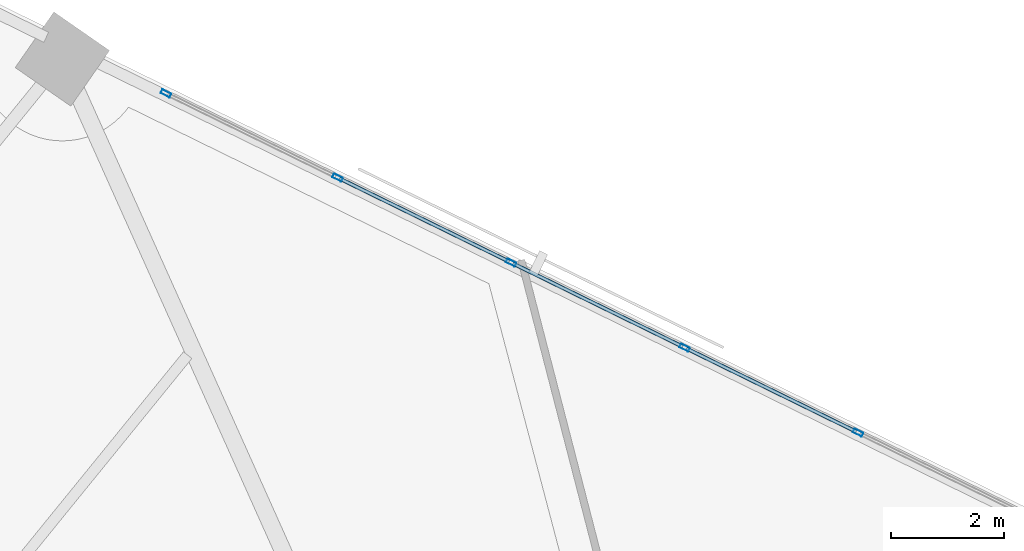
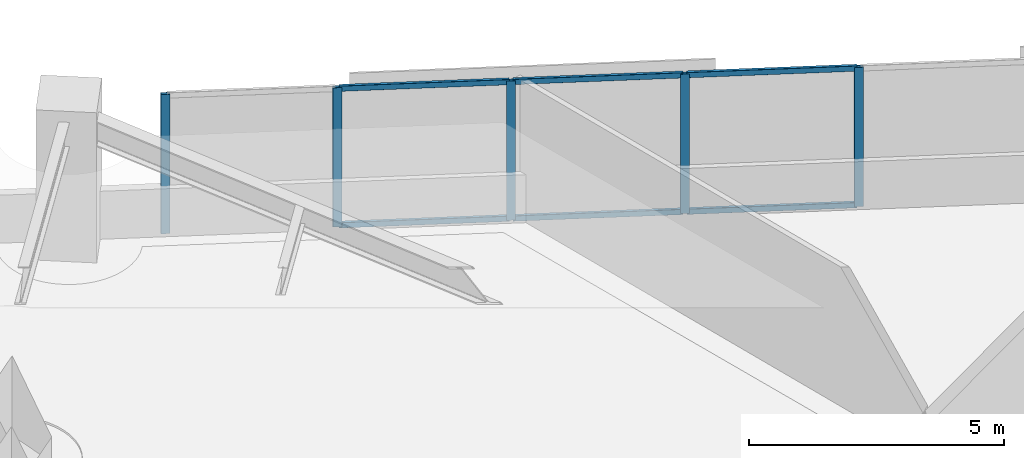
# One storey, part 10 of 19: 11 members, 1 element without a shape of its own.
"""IFC4 building model written with IfcOpenShell, lengths in metres."""

from ifc_helpers import new_model, si_unit, direction, frame, origin, origin_2d, place, context, subcontext, project, spatial, hollow_rectangle, extrude, material, material_profile, profile_set, type_object, element, aggregate, save


model = new_model("IFC4")

# Units and contexts
model_context = context("Model", 3, precision=1e-05, world=origin(), true_north=direction((0.0, 1.0)))
body_context = subcontext(model_context, "Body", "Model", "MODEL_VIEW")
ifc_project = project(units=[si_unit("LENGTHUNIT", "METRE"), si_unit("AREAUNIT", "SQUARE_METRE"), si_unit("VOLUMEUNIT", "CUBIC_METRE"), si_unit("PLANEANGLEUNIT", "RADIAN"), si_unit("MASSUNIT", "GRAM", prefix="KILO")], contexts=[model_context])

# Site, building, storey
site_placement = place(None, origin())
site = spatial("IfcSite", under=ifc_project, at=site_placement, CompositionType="ELEMENT")
building_placement = place(site_placement, origin())
building = spatial("IfcBuilding", under=site, at=building_placement, Name="Narakoshi Arena Tower", CompositionType="ELEMENT")
storey_placement = place(building_placement, frame((0.0, 0.0, 113.699951171875)))
storey = spatial("IfcBuildingStorey", under=building, at=storey_placement, Name="L30", CompositionType="ELEMENT", Elevation=113.699951171875)

# Curtain wall, members
ifc_material = material(Name="Anodised bronze aluminium 6063-T6", Category="aluminium")
curtain_wall_type = type_object("IfcCurtainWallType", Name="CW-HYP-LOW", PredefinedType="NOTDEFINED", material=ifc_material)
curtain_wall_placement = place(storey_placement, origin())
curtain_wall = element("IfcCurtainWall", 1, at=curtain_wall_placement, inside=storey, type_object=curtain_wall_type, Name="L30 Folded Hypotenuse Curtain Wall 2-1", PredefinedType="NOTDEFINED")
ifc_material_profile_1 = material_profile(ifc_material, hollow_rectangle(XDim=0.074951171875, YDim=0.179931640625, WallThickness=0.00390625, OuterFilletRadius=0.0048828125, at=origin_2d()), Name="MUL180x75x4")
ifc_profile_set_1 = profile_set([ifc_material_profile_1], Name="Anodised bronze aluminium 6063-T6")
member_type_1 = type_object("IfcMemberType", Name="MEM-MUL-180", PredefinedType="MULLION", material=ifc_profile_set_1)
member_1_placement = place(storey_placement, frame((78.41259765625, 67.01611328125, 0.0), z_axis=(0.0, 0.0, 1.0), x_axis=(-0.440004510198, -0.89799556291, 0.0)))
member_1 = element("IfcMember", 2, at=member_1_placement, type_object=member_type_1, Name="CW-01 mullion 4", PredefinedType="MULLION", context=body_context, shape_type="SweptSolid", body=[
    extrude(hollow_rectangle(XDim=0.074951171875, YDim=0.179931640625, WallThickness=0.00390625, OuterFilletRadius=0.0048828125, at=origin_2d()), origin(), (0.0, 0.0, 1.0), 3.340087890625),
])
member_2_placement = place(storey_placement, frame((75.33935546875, 68.52197265625, 0.0), z_axis=(0.0, 0.0, 1.0), x_axis=(-0.440004510198, -0.89799556291, 0.0)))
member_2 = element("IfcMember", 3, at=member_2_placement, type_object=member_type_1, Name="CW-01 mullion 5", PredefinedType="MULLION", context=body_context, shape_type="SweptSolid", body=[
    extrude(hollow_rectangle(XDim=0.074951171875, YDim=0.179931640625, WallThickness=0.00390625, OuterFilletRadius=0.0048828125, at=origin_2d()), origin(), (0.0, 0.0, 1.0), 3.340087890625),
])
member_3_placement = place(storey_placement, frame((72.26611328125, 70.028076171875, 0.0), z_axis=(0.0, 0.0, 1.0), x_axis=(-0.440004510198, -0.89799556291, 0.0)))
member_3 = element("IfcMember", 4, at=member_3_placement, type_object=member_type_1, Name="CW-01 mullion 6", PredefinedType="MULLION", context=body_context, shape_type="SweptSolid", body=[
    extrude(hollow_rectangle(XDim=0.074951171875, YDim=0.179931640625, WallThickness=0.00390625, OuterFilletRadius=0.0048828125, at=origin_2d()), origin(), (0.0, 0.0, 1.0), 3.340087890625),
])
member_4_placement = place(storey_placement, frame((69.19287109375, 71.533935546875, 0.0), z_axis=(0.0, 0.0, 1.0), x_axis=(-0.440004510198, -0.89799556291, 0.0)))
member_4 = element("IfcMember", 5, at=member_4_placement, type_object=member_type_1, Name="CW-01 mullion 7", PredefinedType="MULLION", context=body_context, shape_type="SweptSolid", body=[
    extrude(hollow_rectangle(XDim=0.074951171875, YDim=0.179931640625, WallThickness=0.00390625, OuterFilletRadius=0.0048828125, at=origin_2d()), origin(), (0.0, 0.0, 1.0), 3.340087890625),
])
member_5_placement = place(storey_placement, frame((66.153076171875, 73.023193359375, 0.0), z_axis=(0.0, 0.0, 1.0), x_axis=(-0.440004510198, -0.89799556291, 0.0)))
member_5 = element("IfcMember", 6, at=member_5_placement, type_object=member_type_1, Name="CW-01 mullion 8", PredefinedType="MULLION", context=body_context, shape_type="SweptSolid", body=[
    extrude(hollow_rectangle(XDim=0.074951171875, YDim=0.179931640625, WallThickness=0.00390625, OuterFilletRadius=0.0048828125, at=origin_2d()), origin(), (0.0, 0.0, 1.0), 3.340087890625),
])
ifc_material_profile_2 = material_profile(ifc_material, hollow_rectangle(XDim=0.06494140625, YDim=0.1298828125, WallThickness=0.00390625, OuterFilletRadius=0.0048828125, at=origin_2d()), Name="TRN130x65x4")
ifc_profile_set_2 = profile_set([ifc_material_profile_2], Name="Anodised bronze aluminium 6063-T6")
member_type_2 = type_object("IfcMemberType", Name="MEM-TRN-130", PredefinedType="USERDEFINED", material=ifc_profile_set_2)
member_6_placement = place(storey_placement, frame((78.37890625, 67.03271484375, 0.032470703125), z_axis=(-0.897986843255, 0.440022305503, 0.0), x_axis=(-0.440022305503, -0.897986843255, 0.0)))
member_6 = element("IfcMember", 7, at=member_6_placement, type_object=member_type_2, Name="CW-01 transom 4.1", ObjectType="TRANSOM", PredefinedType="USERDEFINED", context=body_context, shape_type="SweptSolid", body=[
    extrude(hollow_rectangle(XDim=0.06494140625, YDim=0.1298828125, WallThickness=0.00390625, OuterFilletRadius=0.0048828125, at=origin_2d()), origin(), (0.0, 0.0, 1.0), 3.347412109375),
])
member_7_placement = place(storey_placement, frame((78.37890625, 67.03271484375, 3.3076171875), z_axis=(-0.897986843255, 0.440022305503, 0.0), x_axis=(-0.440022305503, -0.897986843255, 0.0)))
member_7 = element("IfcMember", 8, at=member_7_placement, type_object=member_type_2, Name="CW-01 transom 4.2", ObjectType="TRANSOM", PredefinedType="USERDEFINED", context=body_context, shape_type="SweptSolid", body=[
    extrude(hollow_rectangle(XDim=0.06494140625, YDim=0.1298828125, WallThickness=0.00390625, OuterFilletRadius=0.0048828125, at=origin_2d()), origin(), (0.0, 0.0, 1.0), 3.347412109375),
])
member_8_placement = place(storey_placement, frame((75.3056640625, 68.53857421875, 0.032470703125), z_axis=(-0.897986843255, 0.440022305503, 0.0), x_axis=(-0.440022305503, -0.897986843255, 0.0)))
member_8 = element("IfcMember", 9, at=member_8_placement, type_object=member_type_2, Name="CW-01 transom 5.1", ObjectType="TRANSOM", PredefinedType="USERDEFINED", context=body_context, shape_type="SweptSolid", body=[
    extrude(hollow_rectangle(XDim=0.06494140625, YDim=0.1298828125, WallThickness=0.00390625, OuterFilletRadius=0.0048828125, at=origin_2d()), origin(), (0.0, 0.0, 1.0), 3.347412109375),
])
member_9_placement = place(storey_placement, frame((75.3056640625, 68.53857421875, 3.3076171875), z_axis=(-0.897986843255, 0.440022305503, 0.0), x_axis=(-0.440022305503, -0.897986843255, 0.0)))
member_9 = element("IfcMember", 10, at=member_9_placement, type_object=member_type_2, Name="CW-01 transom 5.2", ObjectType="TRANSOM", PredefinedType="USERDEFINED", context=body_context, shape_type="SweptSolid", body=[
    extrude(hollow_rectangle(XDim=0.06494140625, YDim=0.1298828125, WallThickness=0.00390625, OuterFilletRadius=0.0048828125, at=origin_2d()), origin(), (0.0, 0.0, 1.0), 3.347412109375),
])
member_10_placement = place(storey_placement, frame((72.232421875, 70.04443359375, 0.032470703125), z_axis=(-0.897986843255, 0.440022305503, 0.0), x_axis=(-0.440022305503, -0.897986843255, 0.0)))
member_10 = element("IfcMember", 11, at=member_10_placement, type_object=member_type_2, Name="CW-01 transom 6.1", ObjectType="TRANSOM", PredefinedType="USERDEFINED", context=body_context, shape_type="SweptSolid", body=[
    extrude(hollow_rectangle(XDim=0.06494140625, YDim=0.1298828125, WallThickness=0.00390625, OuterFilletRadius=0.0048828125, at=origin_2d()), origin(), (0.0, 0.0, 1.0), 3.347412109375),
])
member_11_placement = place(storey_placement, frame((72.232421875, 70.04443359375, 3.3076171875), z_axis=(-0.897986843255, 0.440022305503, 0.0), x_axis=(-0.440022305503, -0.897986843255, 0.0)))
member_11 = element("IfcMember", 12, at=member_11_placement, type_object=member_type_2, Name="CW-01 transom 6.2", ObjectType="TRANSOM", PredefinedType="USERDEFINED", context=body_context, shape_type="SweptSolid", body=[
    extrude(hollow_rectangle(XDim=0.06494140625, YDim=0.1298828125, WallThickness=0.00390625, OuterFilletRadius=0.0048828125, at=origin_2d()), origin(), (0.0, 0.0, 1.0), 3.347412109375),
])
aggregate(curtain_wall, [member_1, member_2, member_3, member_4, member_5, member_6, member_7, member_8, member_9, member_10, member_11])

save(model, "model.ifc")
